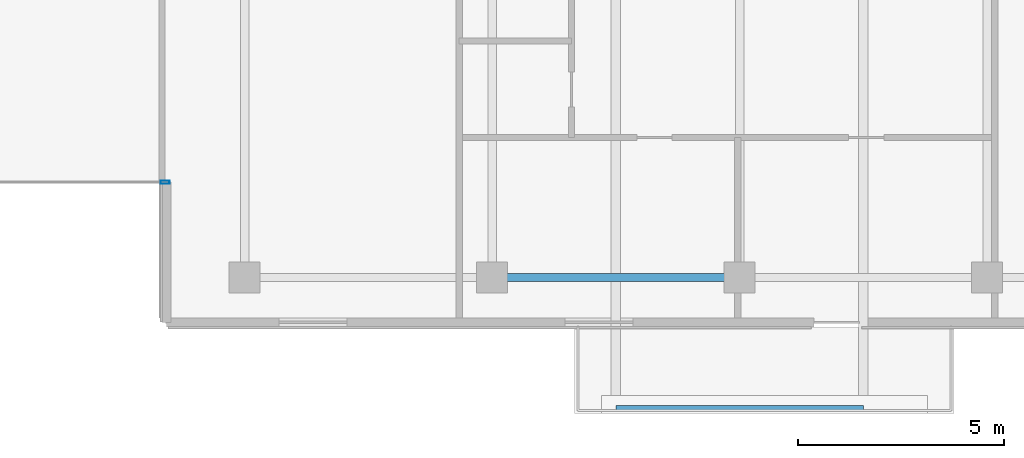
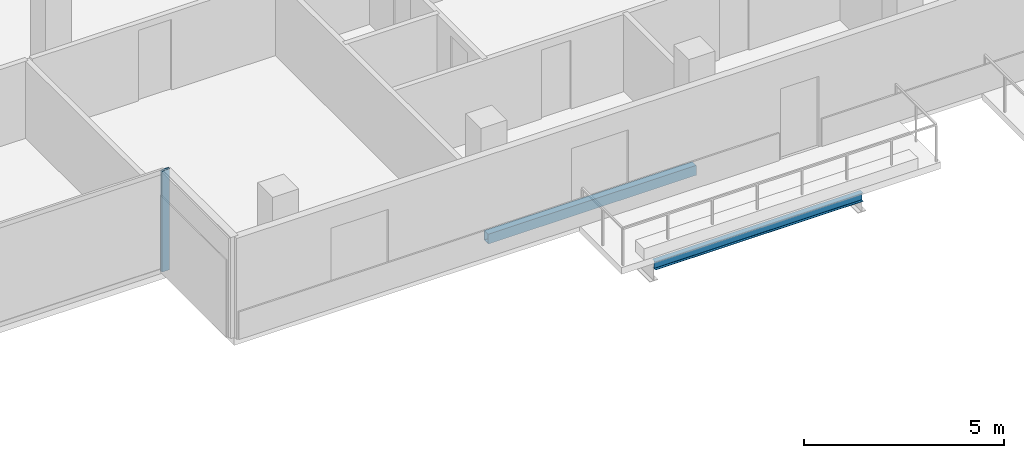
# One storey, part 6 of 28: 2 beams, 1 member, 1 element without a shape of its own.
"""IFC4 building model written with IfcOpenShell, lengths in metres."""

from ifc_helpers import new_model, si_unit, direction, frame, origin, origin_2d, place, context, subcontext, project, spatial, hollow_rectangle, i_section, extrude, material, layer, layer_set, material_profile, profile_set, type_object, element, aggregate, save


model = new_model("IFC4")

# Units and contexts
model_context = context("Model", 3, precision=1e-05, world=origin(), true_north=direction((0.0, 1.0)))
body_context = subcontext(model_context, "Body", "Model", "MODEL_VIEW")
ifc_project = project(units=[si_unit("LENGTHUNIT", "METRE"), si_unit("AREAUNIT", "SQUARE_METRE"), si_unit("VOLUMEUNIT", "CUBIC_METRE"), si_unit("PLANEANGLEUNIT", "RADIAN"), si_unit("MASSUNIT", "GRAM", prefix="KILO")], contexts=[model_context])

# Site, building, storey
site_placement = place(None, origin())
site = spatial("IfcSite", under=ifc_project, at=site_placement, CompositionType="ELEMENT")
building_placement = place(site_placement, origin())
building = spatial("IfcBuilding", under=site, at=building_placement, Name="Tanjung Sevakor Pilgrim Tower", CompositionType="ELEMENT")
storey_placement = place(building_placement, frame((0.0, 0.0, 222.75)))
storey = spatial("IfcBuildingStorey", under=building, at=storey_placement, Name="L62", CompositionType="ELEMENT", Elevation=222.75)

# Beams
ifc_material_1 = material(Name="Steel S355J2", Category="steel")
ifc_material_profile_1 = material_profile(ifc_material_1, i_section(OverallWidth=0.146484375, OverallDepth=0.256103515625, WebThickness=0.00634765625, FlangeThickness=0.010986328125, FilletRadius=0.007568359375, at=origin_2d()))
ifc_profile_set_1 = profile_set([ifc_material_profile_1], Name="Steel S355J2")
beam_type_1 = type_object("IfcBeamType", Name="BM-B-J6-UB_254x146x37", PredefinedType="JOIST", material=ifc_profile_set_1)
beam_1_placement = place(storey_placement, frame((63.0, 10.070068359375, -0.327880859375), z_axis=(1.0, 0.0, 0.0), x_axis=(0.0, 1.0, 0.0)))
element("IfcBeam", 1, at=beam_1_placement, inside=storey, type_object=beam_type_1, Name="L62 Balcony Rim Tie MAIN-S2", PredefinedType="JOIST", context=body_context, shape_type="SweptSolid", body=[
    extrude(i_section(OverallWidth=0.146484375, OverallDepth=0.256103515625, WebThickness=0.00634765625, FlangeThickness=0.010986328125, FilletRadius=0.007568359375, at=origin_2d()), origin(), (0.0, 0.0, 1.0), 6.0),
])
ifc_material_2 = material(Name="Steel S355J2", Category="steel")
ifc_material_profile_2 = material_profile(ifc_material_2, hollow_rectangle(XDim=0.199951171875, YDim=0.300048828125, WallThickness=0.012451171875, at=origin_2d()))
ifc_profile_set_2 = profile_set([ifc_material_profile_2], Name="Steel S355J2")
beam_type_2 = type_object("IfcBeamType", Name="BM-B-SP3-RHS_300x200x12.5", PredefinedType="SPANDREL", material=ifc_profile_set_2)
beam_2_placement = place(storey_placement, frame((60.0, 13.25, -0.3701171875), z_axis=(1.0, 0.0, 0.0), x_axis=(0.0, 1.0, 0.0)))
element("IfcBeam", 2, at=beam_2_placement, inside=storey, type_object=beam_type_2, Name="L62 Spandrel MAIN S-07", PredefinedType="SPANDREL", context=body_context, shape_type="SweptSolid", body=[
    extrude(hollow_rectangle(XDim=0.199951171875, YDim=0.300048828125, WallThickness=0.012451171875, at=origin_2d()), origin(), (0.0, 0.0, 1.0), 6.0),
])

# Curtain wall, member
ifc_material_3 = material(Name="Aluminium 6063-T6 and Low-E Glass", Category="aluminium")
ifc_layer = layer(ifc_material_3, 0.179931640625)
ifc_layer_set = layer_set([ifc_layer], Name="CW-SYS-CLEFT")
curtain_wall_type = type_object("IfcCurtainWallType", Name="CW-SYS-CLEFT", PredefinedType="NOTDEFINED", material=ifc_layer_set)
curtain_wall_placement = place(storey_placement, origin())
curtain_wall = element("IfcCurtainWall", 3, at=curtain_wall_placement, inside=storey, type_object=curtain_wall_type, Name="L62 Curtain Wall CW-CLF-L62-2", PredefinedType="NOTDEFINED")
ifc_material_4 = material(Name="Aluminium 6063-T6", Category="aluminium")
ifc_material_profile_3 = material_profile(ifc_material_4, hollow_rectangle(XDim=0.074951171875, YDim=0.219970703125, WallThickness=0.0048828125, at=origin_2d()))
ifc_profile_set_3 = profile_set([ifc_material_profile_3], Name="Aluminium 6063-T6")
member_type = type_object("IfcMemberType", Name="TYPE-CWM-2", PredefinedType="MULLION", material=ifc_profile_set_3)
member_placement = place(storey_placement, frame((52.072509765625, 15.56005859375, 0.0), z_axis=(0.0, 0.0, 1.0), x_axis=(0.0, 1.0, 0.0)))
member = element("IfcMember", 4, at=member_placement, type_object=member_type, Name="CW-CLF mullion 2", PredefinedType="MULLION", context=body_context, shape_type="SweptSolid", body=[
    extrude(hollow_rectangle(XDim=0.074951171875, YDim=0.219970703125, WallThickness=0.0048828125, at=origin_2d()), origin(), (0.0, 0.0, 1.0), 3.080078125),
])
aggregate(curtain_wall, [member])

save(model, "model.ifc")
